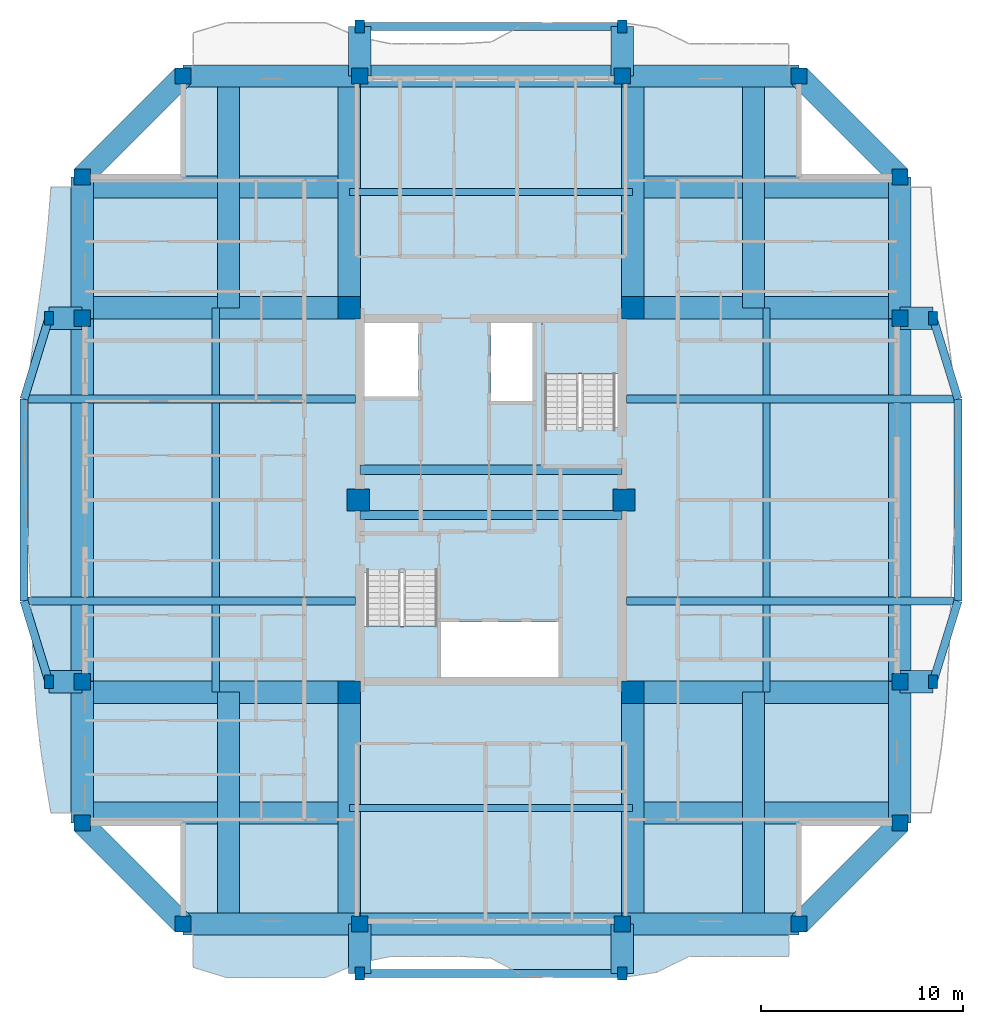
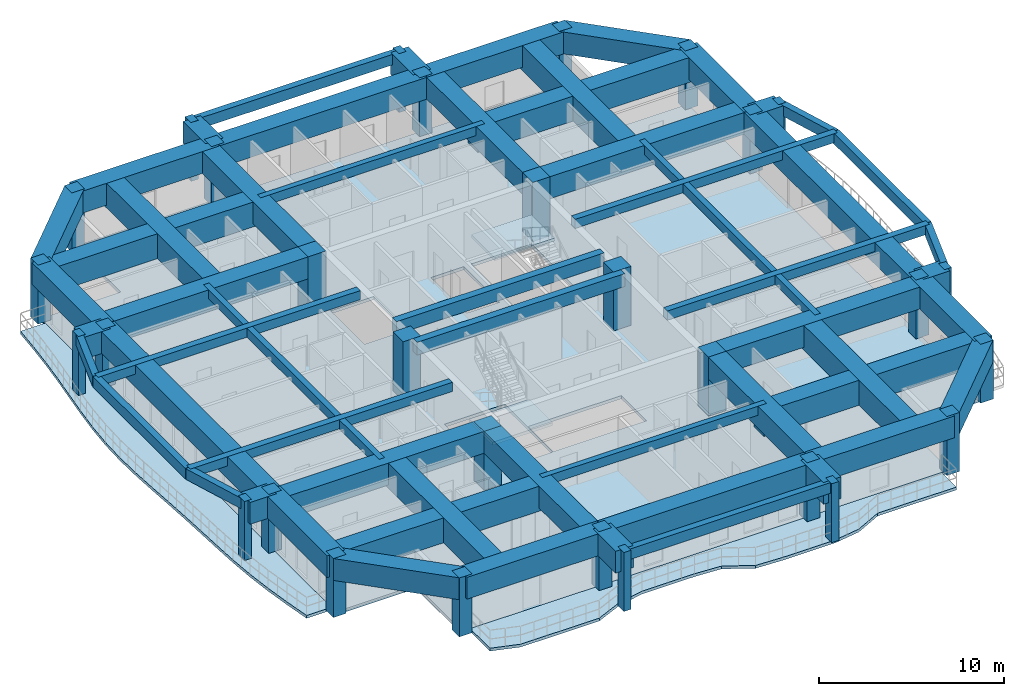
# One storey, part 1 of 13: 58 beams, 30 columns, 5 slabs, 2 elements without a shape of their own.
"""IFC4 building model written with IfcOpenShell, lengths in metres."""

from ifc_helpers import new_model, si_unit, direction, frame, origin, origin_2d, place, context, subcontext, project, spatial, polyline, rectangle, outline, extrude, source, transform, mapped, material, layer, layer_set, material_profile, profile_set, type_object, element, aggregate, save


model = new_model("IFC4")

# Units and contexts
model_context = context("Model", 3, precision=1e-05, world=origin(), true_north=direction((0.0, 1.0)))
body_context = subcontext(model_context, "Body", "Model", "MODEL_VIEW")
ifc_project = project(units=[si_unit("LENGTHUNIT", "METRE"), si_unit("AREAUNIT", "SQUARE_METRE"), si_unit("VOLUMEUNIT", "CUBIC_METRE"), si_unit("PLANEANGLEUNIT", "RADIAN"), si_unit("MASSUNIT", "GRAM", prefix="KILO")], contexts=[model_context])

# Site, building, storey
site_placement = place(None, origin())
site = spatial("IfcSite", under=ifc_project, at=site_placement, CompositionType="ELEMENT")
building_placement = place(site_placement, origin())
building = spatial("IfcBuilding", under=site, at=building_placement, Name="Saelheon Loggia Tower", CompositionType="ELEMENT")
storey_placement = place(building_placement, frame((0.0, 0.0, 192.699951171875)))
storey = spatial("IfcBuildingStorey", under=building, at=storey_placement, Name="L60", CompositionType="ELEMENT", Elevation=192.699951171875)

# Columns
ifc_material_1 = material(Name="Concrete C50/60", Category="concrete")
ifc_material_profile_1 = material_profile(ifc_material_1, rectangle(XDim=1.10009765625, YDim=1.10009765625, at=origin_2d()), Name="RC-1100x1100")
ifc_profile_set_1 = profile_set([ifc_material_profile_1], Name="Concrete C50/60")
column_type_1 = type_object("IfcColumnType", Name="Col_Core_RC1100", PredefinedType="COLUMN", material=ifc_profile_set_1)
shared_shape_1 = source(origin(), body_context, "Body", "SweptSolid", [
    extrude(rectangle(XDim=1.10009765625, YDim=1.10009765625, at=origin_2d()), origin(), (0.0, 0.0, 1.0), 3.900146484375),
])
for number, where, z_axis, x_axis, name in (
    (1, (30.97998046875, 17.47998046875, 0.0), (0.0, 0.0, 1.0), (1.0, 0.0, 0.0), "L60 Core Column CR-SW"),
    (2, (45.02001953125, 17.47998046875, 0.0), (0.0, 0.0, 1.0), (1.0, 0.0, 0.0), "L60 Core Column CR-SE"),
    (3, (30.97998046875, 36.52001953125, 0.0), (0.0, 0.0, 1.0), (1.0, 0.0, 0.0), "L60 Core Column CR-NW"),
    (4, (45.02001953125, 36.52001953125, 0.0), (0.0, 0.0, 1.0), (1.0, 0.0, 0.0), "L60 Core Column CR-NE"),
    (5, (31.419921875, 27.0, 0.0), (0.0, 0.0, 1.0), (1.0, 0.0, 0.0), "L60 Core Column CR-MW"),
    (6, (44.580078125, 27.0, 0.0), (0.0, 0.0, 1.0), (1.0, 0.0, 0.0), "L60 Core Column CR-ME"),
):
    element("IfcColumn", number, at=place(storey_placement, frame(where, z_axis=z_axis, x_axis=x_axis)), inside=storey, type_object=column_type_1, Name=name, PredefinedType="COLUMN", context=body_context, shape_type="MappedRepresentation", body=[
        mapped(shared_shape_1, transform((0.0, 0.0, 0.0), scale=1.0)),
    ])
ifc_material_2 = material(Name="Concrete C45/55", Category="concrete")
ifc_material_profile_2 = material_profile(ifc_material_2, rectangle(XDim=0.800048828125, YDim=0.800048828125, at=origin_2d()), Name="RC-800x800")
ifc_profile_set_2 = profile_set([ifc_material_profile_2], Name="Concrete C45/55")
column_type_2 = type_object("IfcColumnType", Name="Col_Perim_RC800", PredefinedType="COLUMN", material=ifc_profile_set_2)
shared_shape_2 = source(origin(), body_context, "Body", "SweptSolid", [
    extrude(rectangle(XDim=0.800048828125, YDim=0.800048828125, at=origin_2d()), origin(), (0.0, 0.0, 1.0), 3.900146484375),
])
for number, where, z_axis, x_axis, name in (
    (7, (22.75, 6.0, 0.0), (0.0, 0.0, 1.0), (1.0, 0.0, 0.0), "L60 Perimeter Column TP-S1"),
    (8, (31.5, 6.0, 0.0), (0.0, 0.0, 1.0), (1.0, 0.0, 0.0), "L60 Perimeter Column TP-SA"),
    (9, (44.5, 6.0, 0.0), (0.0, 0.0, 1.0), (1.0, 0.0, 0.0), "L60 Perimeter Column TP-SB"),
    (10, (53.25, 6.0, 0.0), (0.0, 0.0, 1.0), (1.0, 0.0, 0.0), "L60 Perimeter Column TP-S2"),
    (11, (58.25, 11.0, 0.0), (0.0, 0.0, 1.0), (1.0, 0.0, 0.0), "L60 Perimeter Column TP-E1"),
    (12, (58.25, 18.0, 0.0), (0.0, 0.0, 1.0), (1.0, 0.0, 0.0), "L60 Perimeter Column TP-EA"),
    (13, (58.25, 36.0, 0.0), (0.0, 0.0, 1.0), (1.0, 0.0, 0.0), "L60 Perimeter Column TP-EB"),
    (14, (58.25, 43.0, 0.0), (0.0, 0.0, 1.0), (1.0, 0.0, 0.0), "L60 Perimeter Column TP-E2"),
    (15, (53.25, 48.0, 0.0), (0.0, 0.0, 1.0), (1.0, 0.0, 0.0), "L60 Perimeter Column TP-N2"),
    (16, (44.5, 48.0, 0.0), (0.0, 0.0, 1.0), (1.0, 0.0, 0.0), "L60 Perimeter Column TP-NB"),
    (17, (31.5, 48.0, 0.0), (0.0, 0.0, 1.0), (1.0, 0.0, 0.0), "L60 Perimeter Column TP-NA"),
    (18, (22.75, 48.0, 0.0), (0.0, 0.0, 1.0), (1.0, 0.0, 0.0), "L60 Perimeter Column TP-N1"),
    (19, (17.75, 43.0, 0.0), (0.0, 0.0, 1.0), (1.0, 0.0, 0.0), "L60 Perimeter Column TP-W2"),
    (20, (17.75, 36.0, 0.0), (0.0, 0.0, 1.0), (1.0, 0.0, 0.0), "L60 Perimeter Column TP-WB"),
    (21, (17.75, 18.0, 0.0), (0.0, 0.0, 1.0), (1.0, 0.0, 0.0), "L60 Perimeter Column TP-WA"),
    (22, (17.75, 11.0, 0.0), (0.0, 0.0, 1.0), (1.0, 0.0, 0.0), "L60 Perimeter Column TP-W1"),
):
    element("IfcColumn", number, at=place(storey_placement, frame(where, z_axis=z_axis, x_axis=x_axis)), inside=storey, type_object=column_type_2, Name=name, PredefinedType="COLUMN", context=body_context, shape_type="MappedRepresentation", body=[
        mapped(shared_shape_2, transform((0.0, 0.0, 0.0), scale=1.0)),
    ])
ifc_material_3 = material(Name="Precast Concrete C45/55", Category="concrete")
ifc_material_profile_3 = material_profile(ifc_material_3, rectangle(XDim=0.449951171875, YDim=0.64990234375, at=origin_2d()), Name="RC-450x650")
ifc_profile_set_3 = profile_set([ifc_material_profile_3], Name="Precast Concrete C45/55")
column_type_3 = type_object("IfcColumnType", Name="Col_Loggia_Pilaster_650", PredefinedType="PILASTER", material=ifc_profile_set_3)
shared_shape_3 = source(origin(), body_context, "Body", "SweptSolid", [
    extrude(rectangle(XDim=0.449951171875, YDim=0.64990234375, at=origin_2d()), origin(), (0.0, 0.0, 1.0), 3.900146484375),
])
for number, where, z_axis, x_axis, name in (
    (23, (31.5, 3.550048828125, 0.0), (0.0, 0.0, 1.0), (1.0, 0.0, 0.0), "L60 Loggia Frame Pilaster LP-S1"),
    (24, (44.5, 3.550048828125, 0.0), (0.0, 0.0, 1.0), (1.0, 0.0, 0.0), "L60 Loggia Frame Pilaster LP-S2"),
    (25, (31.5, 50.449951171875, 0.0), (0.0, 0.0, 1.0), (1.0, 0.0, 0.0), "L60 Loggia Frame Pilaster LP-N1"),
    (26, (44.5, 50.449951171875, 0.0), (0.0, 0.0, 1.0), (1.0, 0.0, 0.0), "L60 Loggia Frame Pilaster LP-N2"),
    (27, (59.89990234375, 18.0, 0.0), (0.0, 0.0, 1.0), (1.0, 0.0, 0.0), "L60 Loggia Frame Pilaster LP-E1"),
    (28, (59.89990234375, 36.0, 0.0), (0.0, 0.0, 1.0), (1.0, 0.0, 0.0), "L60 Loggia Frame Pilaster LP-E2"),
    (29, (16.10009765625, 18.0, 0.0), (0.0, 0.0, 1.0), (1.0, 0.0, 0.0), "L60 Loggia Frame Pilaster LP-W1"),
    (30, (16.10009765625, 36.0, 0.0), (0.0, 0.0, 1.0), (1.0, 0.0, 0.0), "L60 Loggia Frame Pilaster LP-W2"),
):
    element("IfcColumn", number, at=place(storey_placement, frame(where, z_axis=z_axis, x_axis=x_axis)), inside=storey, type_object=column_type_3, Name=name, PredefinedType="PILASTER", context=body_context, shape_type="MappedRepresentation", body=[
        mapped(shared_shape_3, transform((0.0, 0.0, 0.0), scale=1.0)),
    ])

# Beams
ifc_material_profile_4 = material_profile(ifc_material_1, rectangle(XDim=0.449951171875, YDim=0.85009765625, at=origin_2d()), Name="RC-450x850")
ifc_profile_set_4 = profile_set([ifc_material_profile_4], Name="Concrete C50/60")
beam_type_1 = type_object("IfcBeamType", Name="Beam_CoreLintel_RC450x850", PredefinedType="LINTEL", material=ifc_profile_set_4)
shared_shape_4 = source(origin(), body_context, "Body", "SweptSolid", [
    extrude(rectangle(XDim=0.449951171875, YDim=0.85009765625, at=origin_2d()), origin(), (0.0, 0.0, 1.0), 13.0),
])
for number, where, z_axis, x_axis, name in (
    (31, (31.5, 26.25, 3.47509765625), (1.0, 0.0, 0.0), (0.0, 1.0, 0.0), "L60 Core Coupling Lintel 1"),
    (32, (31.5, 28.5, 3.47509765625), (1.0, 0.0, 0.0), (0.0, 1.0, 0.0), "L60 Core Coupling Lintel 2"),
):
    element("IfcBeam", number, at=place(storey_placement, frame(where, z_axis=z_axis, x_axis=x_axis)), inside=storey, type_object=beam_type_1, Name=name, PredefinedType="LINTEL", context=body_context, shape_type="MappedRepresentation", body=[
        mapped(shared_shape_4, transform((0.0, 0.0, 0.0), scale=1.0)),
    ])
ifc_material_profile_5 = material_profile(ifc_material_1, rectangle(XDim=1.10009765625, YDim=1.449951171875, at=origin_2d()), Name="RC-1100x1450")
ifc_profile_set_5 = profile_set([ifc_material_profile_5], Name="Concrete C50/60")
beam_type_2 = type_object("IfcBeamType", Name="Beam_PerimTransfer_RC1100x1450", PredefinedType="BEAM", material=ifc_profile_set_5)
shared_shape_5 = source(origin(), body_context, "Body", "SweptSolid", [
    extrude(rectangle(XDim=1.10009765625, YDim=1.449951171875, at=origin_2d()), origin(), (0.0, 0.0, 1.0), 7.0),
])
for number, where, z_axis, x_axis, name in (
    (33, (58.25, 11.0, 3.175048828125), (0.0, 1.0, 0.0), (-1.0, 0.0, 0.0), "L60 Perimeter Frame Girder 05"),
    (34, (58.25, 36.0, 3.175048828125), (0.0, 1.0, 0.0), (-1.0, 0.0, 0.0), "L60 Perimeter Frame Girder 07"),
    (35, (17.75, 43.0, 3.175048828125), (0.0, -1.0, 0.0), (1.0, 0.0, 0.0), "L60 Perimeter Frame Girder 13"),
    (36, (17.75, 18.0, 3.175048828125), (0.0, -1.0, 0.0), (1.0, 0.0, 0.0), "L60 Perimeter Frame Girder 15"),
):
    element("IfcBeam", number, at=place(storey_placement, frame(where, z_axis=z_axis, x_axis=x_axis)), inside=storey, type_object=beam_type_2, Name=name, PredefinedType="BEAM", context=body_context, shape_type="MappedRepresentation", body=[
        mapped(shared_shape_5, transform((0.0, 0.0, 0.0), scale=1.0)),
    ])
shared_shape_6 = source(origin(), body_context, "Body", "SweptSolid", [
    extrude(rectangle(XDim=1.10009765625, YDim=1.449951171875, at=origin_2d()), origin(), (0.0, 0.0, 1.0), 2.449951171875),
])
for number, where, z_axis, x_axis, name in (
    (37, (31.5, 6.0, 3.175048828125), (0.0, -1.0, 0.0), (1.0, 0.0, 0.0), "L60 Loggia Frame Tie Beam LP-S1"),
    (38, (44.5, 6.0, 3.175048828125), (0.0, -1.0, 0.0), (1.0, 0.0, 0.0), "L60 Loggia Frame Tie Beam LP-S2"),
    (39, (31.5, 48.0, 3.175048828125), (0.0, 1.0, 0.0), (-1.0, 0.0, 0.0), "L60 Loggia Frame Tie Beam LP-N1"),
    (40, (44.5, 48.0, 3.175048828125), (0.0, 1.0, 0.0), (-1.0, 0.0, 0.0), "L60 Loggia Frame Tie Beam LP-N2"),
):
    element("IfcBeam", number, at=place(storey_placement, frame(where, z_axis=z_axis, x_axis=x_axis)), inside=storey, type_object=beam_type_2, Name=name, PredefinedType="BEAM", context=body_context, shape_type="MappedRepresentation", body=[
        mapped(shared_shape_6, transform((0.0, 0.0, 0.0), scale=1.0)),
    ])
ifc_material_profile_6 = material_profile(ifc_material_2, rectangle(XDim=0.35009765625, YDim=0.60009765625, at=origin_2d()), Name="RC-350x600")
ifc_profile_set_6 = profile_set([ifc_material_profile_6], Name="Concrete C45/55")
beam_type_3 = type_object("IfcBeamType", Name="Beam_AmenityJoist_RC350x600", PredefinedType="JOIST", material=ifc_profile_set_6)
shared_shape_7 = source(origin(), body_context, "Body", "SweptSolid", [
    extrude(rectangle(XDim=0.35009765625, YDim=0.60009765625, at=origin_2d()), origin(), (0.0, 0.0, 1.0), 14.0400390625),
])
for number, where, z_axis, x_axis, name in (
    (41, (30.97998046875, 11.739990234375, 3.60009765625), (1.0, 0.0, 0.0), (0.0, 1.0, 0.0), "L60 South Floor Joist"),
    (42, (30.97998046875, 42.260009765625, 3.60009765625), (1.0, 0.0, 0.0), (0.0, 1.0, 0.0), "L60 North Floor Joist"),
):
    element("IfcBeam", number, at=place(storey_placement, frame(where, z_axis=z_axis, x_axis=x_axis)), inside=storey, type_object=beam_type_3, Name=name, PredefinedType="JOIST", context=body_context, shape_type="MappedRepresentation", body=[
        mapped(shared_shape_7, transform((0.0, 0.0, 0.0), scale=1.0)),
    ])
shared_shape_8 = source(origin(), body_context, "Body", "SweptSolid", [
    extrude(rectangle(XDim=0.35009765625, YDim=0.60009765625, at=origin_2d()), origin(), (0.0, 0.0, 1.0), 19.0400390625),
])
for number, where, z_axis, x_axis, name in (
    (43, (24.364990234375, 17.47998046875, 3.60009765625), (0.0, 1.0, 0.0), (-1.0, 0.0, 0.0), "L60 West Floor Joist"),
    (44, (51.635009765625, 17.47998046875, 3.60009765625), (0.0, 1.0, 0.0), (-1.0, 0.0, 0.0), "L60 East Floor Joist"),
):
    element("IfcBeam", number, at=place(storey_placement, frame(where, z_axis=z_axis, x_axis=x_axis)), inside=storey, type_object=beam_type_3, Name=name, PredefinedType="JOIST", context=body_context, shape_type="MappedRepresentation", body=[
        mapped(shared_shape_8, transform((0.0, 0.0, 0.0), scale=1.0)),
    ])
shared_shape_9 = source(origin(), body_context, "Body", "SweptSolid", [
    extrude(rectangle(XDim=1.10009765625, YDim=1.449951171875, at=origin_2d()), origin(), (0.0, 0.0, 1.0), 13.0),
])
for number, where, z_axis, x_axis, name in (
    (45, (31.5, 6.0, 3.175048828125), (1.0, 0.0, 0.0), (0.0, 1.0, 0.0), "L60 Perimeter Frame Girder 02"),
    (46, (44.5, 48.0, 3.175048828125), (-1.0, 0.0, 0.0), (0.0, -1.0, 0.0), "L60 Perimeter Frame Girder 10"),
):
    element("IfcBeam", number, at=place(storey_placement, frame(where, z_axis=z_axis, x_axis=x_axis)), inside=storey, type_object=beam_type_2, Name=name, PredefinedType="BEAM", context=body_context, shape_type="MappedRepresentation", body=[
        mapped(shared_shape_9, transform((0.0, 0.0, 0.0), scale=1.0)),
    ])
shared_shape_10 = source(origin(), body_context, "Body", "SweptSolid", [
    extrude(rectangle(XDim=1.10009765625, YDim=1.449951171875, at=origin_2d()), origin(), (0.0, 0.0, 1.0), 7.071044921875),
])
for number, where, z_axis, x_axis, name in (
    (47, (53.25, 6.0, 3.175048828125), (0.707106781187, 0.707106781187, 0.0), (-0.707106781187, 0.707106781187, 0.0), "L60 Perimeter Frame Girder 04"),
    (48, (58.25, 43.0, 3.175048828125), (-0.707106781187, 0.707106781187, 0.0), (-0.707106781187, -0.707106781187, 0.0), "L60 Perimeter Frame Girder 08"),
    (49, (22.75, 48.0, 3.175048828125), (-0.707106781187, -0.707106781187, 0.0), (0.707106781187, -0.707106781187, 0.0), "L60 Perimeter Frame Girder 12"),
    (50, (17.75, 11.0, 3.175048828125), (0.707106781187, -0.707106781187, 0.0), (0.707106781187, 0.707106781187, 0.0), "L60 Perimeter Frame Girder 16"),
):
    element("IfcBeam", number, at=place(storey_placement, frame(where, z_axis=z_axis, x_axis=x_axis)), inside=storey, type_object=beam_type_2, Name=name, PredefinedType="BEAM", context=body_context, shape_type="MappedRepresentation", body=[
        mapped(shared_shape_10, transform((0.0, 0.0, 0.0), scale=1.0)),
    ])
shared_shape_11 = source(origin(), body_context, "Body", "SweptSolid", [
    extrude(rectangle(XDim=1.10009765625, YDim=1.449951171875, at=origin_2d()), origin(), (0.0, 0.0, 1.0), 18.0),
])
for number, where, z_axis, x_axis, name in (
    (51, (58.25, 18.0, 3.175048828125), (0.0, 1.0, 0.0), (-1.0, 0.0, 0.0), "L60 Perimeter Frame Girder 06"),
    (52, (17.75, 36.0, 3.175048828125), (0.0, -1.0, 0.0), (1.0, 0.0, 0.0), "L60 Perimeter Frame Girder 14"),
):
    element("IfcBeam", number, at=place(storey_placement, frame(where, z_axis=z_axis, x_axis=x_axis)), inside=storey, type_object=beam_type_2, Name=name, PredefinedType="BEAM", context=body_context, shape_type="MappedRepresentation", body=[
        mapped(shared_shape_11, transform((0.0, 0.0, 0.0), scale=1.0)),
    ])
ifc_material_profile_7 = material_profile(ifc_material_1, rectangle(XDim=1.10009765625, YDim=1.449951171875, at=origin_2d()), Name="RC-1100x1450")
ifc_profile_set_7 = profile_set([ifc_material_profile_7], Name="Concrete C50/60")
beam_type_4 = type_object("IfcBeamType", Name="Beam_Transfer_RC1100x1450", PredefinedType="BEAM", material=ifc_profile_set_7)
shared_shape_12 = source(origin(), body_context, "Body", "SweptSolid", [
    extrude(rectangle(XDim=1.10009765625, YDim=1.449951171875, at=origin_2d()), origin(), (0.0, 0.0, 1.0), 11.47998046875),
])
for number, where, z_axis, x_axis, name in (
    (53, (30.97998046875, 17.47998046875, 3.175048828125), (0.0, -1.0, 0.0), (1.0, 0.0, 0.0), "L60 Radial Floor Girder RAD-SW-S"),
    (54, (45.02001953125, 17.47998046875, 3.175048828125), (0.0, -1.0, 0.0), (1.0, 0.0, 0.0), "L60 Radial Floor Girder RAD-SE-S"),
    (55, (30.97998046875, 36.52001953125, 3.175048828125), (0.0, 1.0, 0.0), (-1.0, 0.0, 0.0), "L60 Radial Floor Girder RAD-NW-N"),
    (56, (45.02001953125, 36.52001953125, 3.175048828125), (0.0, 1.0, 0.0), (-1.0, 0.0, 0.0), "L60 Radial Floor Girder RAD-NE-N"),
):
    element("IfcBeam", number, at=place(storey_placement, frame(where, z_axis=z_axis, x_axis=x_axis)), inside=storey, type_object=beam_type_4, Name=name, PredefinedType="BEAM", context=body_context, shape_type="MappedRepresentation", body=[
        mapped(shared_shape_12, transform((0.0, 0.0, 0.0), scale=1.0)),
    ])
ifc_material_profile_8 = material_profile(ifc_material_1, rectangle(XDim=1.10009765625, YDim=1.64990234375, at=origin_2d()), Name="RC-1100x1650")
ifc_profile_set_8 = profile_set([ifc_material_profile_8], Name="Concrete C50/60")
beam_type_5 = type_object("IfcBeamType", Name="Beam_MegaTransfer_RC1100x1650", PredefinedType="BEAM", material=ifc_profile_set_8)
shared_shape_13 = source(origin(), body_context, "Body", "SweptSolid", [
    extrude(rectangle(XDim=1.10009765625, YDim=1.64990234375, at=origin_2d()), origin(), (0.0, 0.0, 1.0), 11.47998046875),
])
for number, where, z_axis, x_axis, name in (
    (57, (25.0, 6.0, 3.074951171875), (0.0, 1.0, 0.0), (-1.0, 0.0, 0.0), "TG-L60-NL-SW"),
    (58, (51.0, 6.0, 3.074951171875), (0.0, 1.0, 0.0), (-1.0, 0.0, 0.0), "TG-L60-NL-SE"),
    (59, (25.0, 36.52001953125, 3.074951171875), (0.0, 1.0, 0.0), (-1.0, 0.0, 0.0), "TG-L60-NL-NW"),
    (60, (51.0, 36.52001953125, 3.074951171875), (0.0, 1.0, 0.0), (-1.0, 0.0, 0.0), "TG-L60-NL-NE"),
):
    element("IfcBeam", number, at=place(storey_placement, frame(where, z_axis=z_axis, x_axis=x_axis)), inside=storey, type_object=beam_type_5, Name=name, PredefinedType="BEAM", context=body_context, shape_type="MappedRepresentation", body=[
        mapped(shared_shape_13, transform((0.0, 0.0, 0.0), scale=1.0)),
    ])
shared_shape_14 = source(origin(), body_context, "Body", "SweptSolid", [
    extrude(rectangle(XDim=1.10009765625, YDim=1.449951171875, at=origin_2d()), origin(), (0.0, 0.0, 1.0), 1.64990234375),
])
for number, where, z_axis, x_axis, name in (
    (61, (58.25, 18.0, 3.175048828125), (1.0, 0.0, 0.0), (0.0, 1.0, 0.0), "L60 Loggia Frame Tie Beam LP-E1"),
    (62, (58.25, 36.0, 3.175048828125), (1.0, 0.0, 0.0), (0.0, 1.0, 0.0), "L60 Loggia Frame Tie Beam LP-E2"),
    (63, (17.75, 18.0, 3.175048828125), (-1.0, 0.0, 0.0), (0.0, -1.0, 0.0), "L60 Loggia Frame Tie Beam LP-W1"),
    (64, (17.75, 36.0, 3.175048828125), (-1.0, 0.0, 0.0), (0.0, -1.0, 0.0), "L60 Loggia Frame Tie Beam LP-W2"),
):
    element("IfcBeam", number, at=place(storey_placement, frame(where, z_axis=z_axis, x_axis=x_axis)), inside=storey, type_object=beam_type_2, Name=name, PredefinedType="BEAM", context=body_context, shape_type="MappedRepresentation", body=[
        mapped(shared_shape_14, transform((0.0, 0.0, 0.0), scale=1.0)),
    ])
ifc_material_profile_9 = material_profile(ifc_material_3, rectangle(XDim=0.39990234375, YDim=0.699951171875, at=origin_2d()), Name="RC-400x700")
ifc_profile_set_9 = profile_set([ifc_material_profile_9], Name="Precast Concrete C45/55")
beam_type_6 = type_object("IfcBeamType", Name="Beam_LoggiaSpandrel_RC400x700", PredefinedType="SPANDREL", material=ifc_profile_set_9)
shared_shape_15 = source(origin(), body_context, "Body", "SweptSolid", [
    extrude(rectangle(XDim=0.39990234375, YDim=0.699951171875, at=origin_2d()), origin(), (0.0, 0.0, 1.0), 13.0),
])
for number, where, z_axis, x_axis, name in (
    (65, (31.5, 3.550048828125, 3.550048828125), (1.0, 0.0, 0.0), (0.0, 1.0, 0.0), "L60 Loggia Spandrel Beam S"),
    (66, (31.5, 50.449951171875, 3.550048828125), (1.0, 0.0, 0.0), (0.0, 1.0, 0.0), "L60 Loggia Spandrel Beam N"),
):
    element("IfcBeam", number, at=place(storey_placement, frame(where, z_axis=z_axis, x_axis=x_axis)), inside=storey, type_object=beam_type_6, Name=name, PredefinedType="SPANDREL", context=body_context, shape_type="MappedRepresentation", body=[
        mapped(shared_shape_15, transform((0.0, 0.0, 0.0), scale=1.0)),
    ])
ifc_material_profile_10 = material_profile(ifc_material_3, rectangle(XDim=0.39990234375, YDim=0.60009765625, at=origin_2d()), Name="RC-400x600")
ifc_profile_set_10 = profile_set([ifc_material_profile_10], Name="Precast Concrete C45/55")
beam_type_7 = type_object("IfcBeamType", Name="Beam_LoggiaTie_RC400x600", PredefinedType="BEAM", material=ifc_profile_set_10)
shared_shape_16 = source(origin(), body_context, "Body", "SweptSolid", [
    extrude(rectangle(XDim=0.39990234375, YDim=0.60009765625, at=origin_2d()), origin(), (0.0, 0.0, 1.0), 16.409912109375),
])
for number, where, z_axis, x_axis, name in (
    (67, (44.719970703125, 22.0, 3.60009765625), (1.0, 0.0, 0.0), (0.0, 1.0, 0.0), "L60 Curved Facade Outrigger Beam E 1"),
    (68, (44.719970703125, 32.0, 3.60009765625), (1.0, 0.0, 0.0), (0.0, 1.0, 0.0), "L60 Curved Facade Outrigger Beam E 2"),
    (69, (31.280029296875, 22.0, 3.60009765625), (-1.0, 0.0, 0.0), (0.0, -1.0, 0.0), "L60 Curved Facade Outrigger Beam W 1"),
    (70, (31.280029296875, 32.0, 3.60009765625), (-1.0, 0.0, 0.0), (0.0, -1.0, 0.0), "L60 Curved Facade Outrigger Beam W 2"),
):
    element("IfcBeam", number, at=place(storey_placement, frame(where, z_axis=z_axis, x_axis=x_axis)), inside=storey, type_object=beam_type_7, Name=name, PredefinedType="BEAM", context=body_context, shape_type="MappedRepresentation", body=[
        mapped(shared_shape_16, transform((0.0, 0.0, 0.0), scale=1.0)),
    ])
shared_shape_17 = source(origin(), body_context, "Body", "SweptSolid", [
    extrude(rectangle(XDim=0.39990234375, YDim=0.699951171875, at=origin_2d()), origin(), (0.0, 0.0, 1.0), 4.184814453125),
])
for number, where, z_axis, x_axis, name in (
    (71, (59.89990234375, 18.0, 3.550048828125), (0.293913664135, 0.955831971653, 0.0), (-0.955831971653, 0.293913664135, 0.0), "L60 Curved Loggia Spandrel E 1"),
    (72, (61.1298828125, 32.0, 3.550048828125), (-0.293913664135, 0.955831971653, 0.0), (-0.955831971653, -0.293913664135, 0.0), "L60 Curved Loggia Spandrel E 3"),
    (73, (16.10009765625, 18.0, 3.550048828125), (-0.293913664135, 0.955831971653, 0.0), (-0.955831971653, -0.293913664135, 0.0), "L60 Curved Loggia Spandrel W 1"),
    (74, (14.8701171875, 32.0, 3.550048828125), (0.293913664135, 0.955831971653, 0.0), (-0.955831971653, 0.293913664135, 0.0), "L60 Curved Loggia Spandrel W 3"),
):
    element("IfcBeam", number, at=place(storey_placement, frame(where, z_axis=z_axis, x_axis=x_axis)), inside=storey, type_object=beam_type_6, Name=name, PredefinedType="SPANDREL", context=body_context, shape_type="MappedRepresentation", body=[
        mapped(shared_shape_17, transform((0.0, 0.0, 0.0), scale=1.0)),
    ])
shared_shape_18 = source(origin(), body_context, "Body", "SweptSolid", [
    extrude(rectangle(XDim=0.39990234375, YDim=0.699951171875, at=origin_2d()), origin(), (0.0, 0.0, 1.0), 10.0),
])
for number, where, z_axis, x_axis, name in (
    (75, (61.1298828125, 22.0, 3.550048828125), (0.0, 1.0, 0.0), (-1.0, 0.0, 0.0), "L60 Curved Loggia Spandrel E 2"),
    (76, (14.8701171875, 22.0, 3.550048828125), (0.0, 1.0, 0.0), (-1.0, 0.0, 0.0), "L60 Curved Loggia Spandrel W 2"),
):
    element("IfcBeam", number, at=place(storey_placement, frame(where, z_axis=z_axis, x_axis=x_axis)), inside=storey, type_object=beam_type_6, Name=name, PredefinedType="SPANDREL", context=body_context, shape_type="MappedRepresentation", body=[
        mapped(shared_shape_18, transform((0.0, 0.0, 0.0), scale=1.0)),
    ])
shared_shape_19 = source(origin(), body_context, "Body", "SweptSolid", [
    extrude(rectangle(XDim=1.10009765625, YDim=1.449951171875, at=origin_2d()), origin(), (0.0, 0.0, 1.0), 8.75),
])
for number, where, z_axis, x_axis, name in (
    (77, (22.75, 6.0, 3.175048828125), (1.0, 0.0, 0.0), (0.0, 1.0, 0.0), "L60 Perimeter Frame Girder 01"),
    (78, (44.5, 6.0, 3.175048828125), (1.0, 0.0, 0.0), (0.0, 1.0, 0.0), "L60 Perimeter Frame Girder 03"),
    (79, (53.25, 48.0, 3.175048828125), (-1.0, 0.0, 0.0), (0.0, -1.0, 0.0), "L60 Perimeter Frame Girder 09"),
    (80, (31.5, 48.0, 3.175048828125), (-1.0, 0.0, 0.0), (0.0, -1.0, 0.0), "L60 Perimeter Frame Girder 11"),
):
    element("IfcBeam", number, at=place(storey_placement, frame(where, z_axis=z_axis, x_axis=x_axis)), inside=storey, type_object=beam_type_2, Name=name, PredefinedType="BEAM", context=body_context, shape_type="MappedRepresentation", body=[
        mapped(shared_shape_19, transform((0.0, 0.0, 0.0), scale=1.0)),
    ])
shared_shape_20 = source(origin(), body_context, "Body", "SweptSolid", [
    extrude(rectangle(XDim=1.10009765625, YDim=1.449951171875, at=origin_2d()), origin(), (0.0, 0.0, 1.0), 13.22998046875),
])
for number, where, z_axis, x_axis, name in (
    (81, (30.97998046875, 17.47998046875, 3.175048828125), (-1.0, 0.0, 0.0), (0.0, -1.0, 0.0), "L60 Radial Floor Girder RAD-SW-W"),
    (82, (30.97998046875, 36.52001953125, 3.175048828125), (-1.0, 0.0, 0.0), (0.0, -1.0, 0.0), "L60 Radial Floor Girder RAD-NW-W"),
    (83, (45.02001953125, 17.47998046875, 3.175048828125), (1.0, 0.0, 0.0), (0.0, 1.0, 0.0), "L60 Radial Floor Girder RAD-SE-E"),
    (84, (45.02001953125, 36.52001953125, 3.175048828125), (1.0, 0.0, 0.0), (0.0, 1.0, 0.0), "L60 Radial Floor Girder RAD-NE-E"),
):
    element("IfcBeam", number, at=place(storey_placement, frame(where, z_axis=z_axis, x_axis=x_axis)), inside=storey, type_object=beam_type_4, Name=name, PredefinedType="BEAM", context=body_context, shape_type="MappedRepresentation", body=[
        mapped(shared_shape_20, transform((0.0, 0.0, 0.0), scale=1.0)),
    ])
shared_shape_21 = source(origin(), body_context, "Body", "SweptSolid", [
    extrude(rectangle(XDim=1.10009765625, YDim=1.64990234375, at=origin_2d()), origin(), (0.0, 0.0, 1.0), 13.75),
])
for number, where, z_axis, x_axis, name in (
    (85, (17.75, 11.5, 3.074951171875), (1.0, 0.0, 0.0), (0.0, 1.0, 0.0), "TG-L60-SH-SW"),
    (86, (17.75, 42.5, 3.074951171875), (1.0, 0.0, 0.0), (0.0, 1.0, 0.0), "TG-L60-SH-NW"),
    (87, (44.5, 11.5, 3.074951171875), (1.0, 0.0, 0.0), (0.0, 1.0, 0.0), "TG-L60-SH-SE"),
    (88, (44.5, 42.5, 3.074951171875), (1.0, 0.0, 0.0), (0.0, 1.0, 0.0), "TG-L60-SH-NE"),
):
    element("IfcBeam", number, at=place(storey_placement, frame(where, z_axis=z_axis, x_axis=x_axis)), inside=storey, type_object=beam_type_5, Name=name, PredefinedType="BEAM", context=body_context, shape_type="MappedRepresentation", body=[
        mapped(shared_shape_21, transform((0.0, 0.0, 0.0), scale=1.0)),
    ])

# Slabs
ifc_layer_1 = layer(ifc_material_3, 0.18994140625)
ifc_layer_set_1 = layer_set([ifc_layer_1], Name="Precast Concrete C45/55")
slab_type_1 = type_object("IfcSlabType", Name="Slab_Loggia_Ext_190", PredefinedType="FLOOR", material=ifc_layer_set_1)
slab_1_placement = place(storey_placement, frame((0.0, 0.0, -0.18994140625)))
element("IfcSlab", 89, at=slab_1_placement, inside=storey, type_object=slab_type_1, Name="L60 Loggia Balcony Slab S", PredefinedType="FLOOR", context=body_context, shape_type="SweptSolid", body=[
    extrude(outline(polyline([(23.25, 3.85009765625), (24.888916015625, 3.35009765625), (26.52783203125, 3.35009765625), (28.166748046875, 3.35009765625), (29.8056640625, 3.35009765625), (31.4443359375, 4.063720703125), (33.083251953125, 4.39990234375), (34.72216796875, 4.39990234375), (36.361083984375, 4.39990234375), (38.0, 4.30322265625), (39.638916015625, 3.42822265625), (41.27783203125, 3.35009765625), (42.916748046875, 3.35009765625), (44.5556640625, 3.35009765625), (46.1943359375, 3.603759765625), (47.833251953125, 4.39990234375), (49.47216796875, 4.39990234375), (51.111083984375, 4.39990234375), (52.75, 4.39990234375), (52.75, 6.0), (23.25, 6.0), (23.25, 3.85009765625)])), origin(), (0.0, 0.0, 1.0), 0.18994140625),
])
slab_2_placement = place(storey_placement, frame((0.0, 0.0, -0.18994140625)))
element("IfcSlab", 90, at=slab_2_placement, inside=storey, type_object=slab_type_1, Name="L60 Loggia Balcony Slab W", PredefinedType="FLOOR", context=body_context, shape_type="SweptSolid", body=[
    extrude(outline(polyline([(17.75, 11.5), (17.75, 42.5), (16.199951171875, 42.5), (16.074951171875, 40.868408203125), (15.912353515625, 39.23681640625), (15.71142578125, 37.605224609375), (15.482421875, 35.9736328125), (15.253662109375, 34.342041015625), (15.060791015625, 32.71044921875), (14.935302734375, 31.078857421875), (14.89111328125, 29.447509765625), (14.920166015625, 27.81591796875), (14.99755859375, 26.18408203125), (15.0908203125, 24.552490234375), (15.174560546875, 22.921142578125), (15.23974609375, 21.28955078125), (15.297607421875, 19.657958984375), (15.373291015625, 18.0263671875), (15.49462890625, 16.394775390625), (15.677978515625, 14.76318359375), (15.9208984375, 13.131591796875), (16.199951171875, 11.5), (17.75, 11.5)])), origin(), (0.0, 0.0, 1.0), 0.18994140625),
])

# Stair, slab
ifc_material_4 = material(Name="Concrete C40/50", Category="concrete")
stair_type = type_object("IfcStairType", Name="Stair_Escape_Core", PredefinedType="HALF_TURN_STAIR", material=ifc_material_4)
stair_1_placement = place(storey_placement, origin())
stair_1 = element("IfcStair", 91, at=stair_1_placement, inside=storey, type_object=stair_type, Name="L60 Special Escape Stair ST1", PredefinedType="HALF_TURN_STAIR")
ifc_layer_2 = layer(ifc_material_4, 0.199951171875)
ifc_layer_set_2 = layer_set([ifc_layer_2], Name="Concrete C40/50")
slab_type_2 = type_object("IfcSlabType", Name="Slab_StairLanding_ST1", PredefinedType="LANDING", material=ifc_layer_set_2)
slab_3_placement = place(storey_placement, frame((0.0, 0.0, 1.75)))
slab_3 = element("IfcSlab", 92, at=slab_3_placement, type_object=slab_type_2, Name="ST1 landing 1", PredefinedType="LANDING", context=body_context, shape_type="SweptSolid", body=[
    extrude(outline(polyline([(31.7099609375, 20.75), (31.7099609375, 18.2099609375), (35.469970703125, 18.2099609375), (35.469970703125, 20.75), (31.7099609375, 20.75)])), origin(), (0.0, 0.0, 1.0), 0.199951171875),
])
aggregate(stair_1, [slab_3])

stair_2_placement = place(storey_placement, origin())
stair_2 = element("IfcStair", 93, at=stair_2_placement, inside=storey, type_object=stair_type, Name="L60 Special Escape Stair ST2", PredefinedType="HALF_TURN_STAIR")
ifc_layer_3 = layer(ifc_material_4, 0.199951171875)
ifc_layer_set_3 = layer_set([ifc_layer_3], Name="Concrete C40/50")
slab_type_3 = type_object("IfcSlabType", Name="Slab_StairLanding_ST2", PredefinedType="LANDING", material=ifc_layer_set_3)
slab_4_placement = place(storey_placement, frame((0.0, 0.0, 1.75)))
slab_4 = element("IfcSlab", 94, at=slab_4_placement, type_object=slab_type_3, Name="ST2 landing 1", PredefinedType="LANDING", context=body_context, shape_type="SweptSolid", body=[
    extrude(outline(polyline([(44.2900390625, 33.25), (44.2900390625, 35.7900390625), (40.530029296875, 35.7900390625), (40.530029296875, 33.25), (44.2900390625, 33.25)])), origin(), (0.0, 0.0, 1.0), 0.199951171875),
])
aggregate(stair_2, [slab_4])

# Slab
ifc_layer_4 = layer(ifc_material_4, 0.2099609375)
ifc_layer_set_4 = layer_set([ifc_layer_4], Name="Concrete C40/50")
slab_type_4 = type_object("IfcSlabType", Name="Slab_Tower_210", PredefinedType="FLOOR", material=ifc_layer_set_4)
slab_5_placement = place(storey_placement, frame((0.0, 0.0, -0.2099609375)))
element("IfcSlab", 95, at=slab_5_placement, inside=storey, type_object=slab_type_4, Name="L60 Tower Floor Slab", PredefinedType="FLOOR", context=body_context, shape_type="SweptSolid", body=[
    extrude(outline(polyline([(22.75, 6.0), (53.25, 6.0), (53.25, 11.0), (58.25, 11.0), (58.25, 43.0), (53.25, 43.0), (53.25, 48.0), (22.75, 48.0), (22.75, 43.0), (17.75, 43.0), (17.75, 11.0), (22.75, 11.0), (22.75, 6.0)]), holes=[polyline([(31.699951171875, 23.409912109375), (31.699951171875, 18.199951171875), (35.47998046875, 18.199951171875), (35.47998046875, 23.409912109375), (31.699951171875, 23.409912109375)]), polyline([(44.300048828125, 30.590087890625), (44.300048828125, 35.800048828125), (40.52001953125, 35.800048828125), (40.52001953125, 30.590087890625), (44.300048828125, 30.590087890625)]), polyline([(35.530029296875, 18.22509765625), (41.35009765625, 18.22509765625), (41.35009765625, 20.9599609375), (35.530029296875, 20.9599609375), (35.530029296875, 18.22509765625)]), polyline([(31.72509765625, 32.1201171875), (34.419921875, 32.1201171875), (34.419921875, 35.77490234375), (31.72509765625, 35.77490234375), (31.72509765625, 32.1201171875)]), polyline([(38.0, 31.89990234375), (40.050048828125, 31.89990234375), (40.050048828125, 35.77490234375), (38.0, 35.77490234375), (38.0, 31.89990234375)])]), origin(), (0.0, 0.0, 1.0), 0.2099609375),
])

save(model, "model.ifc")
